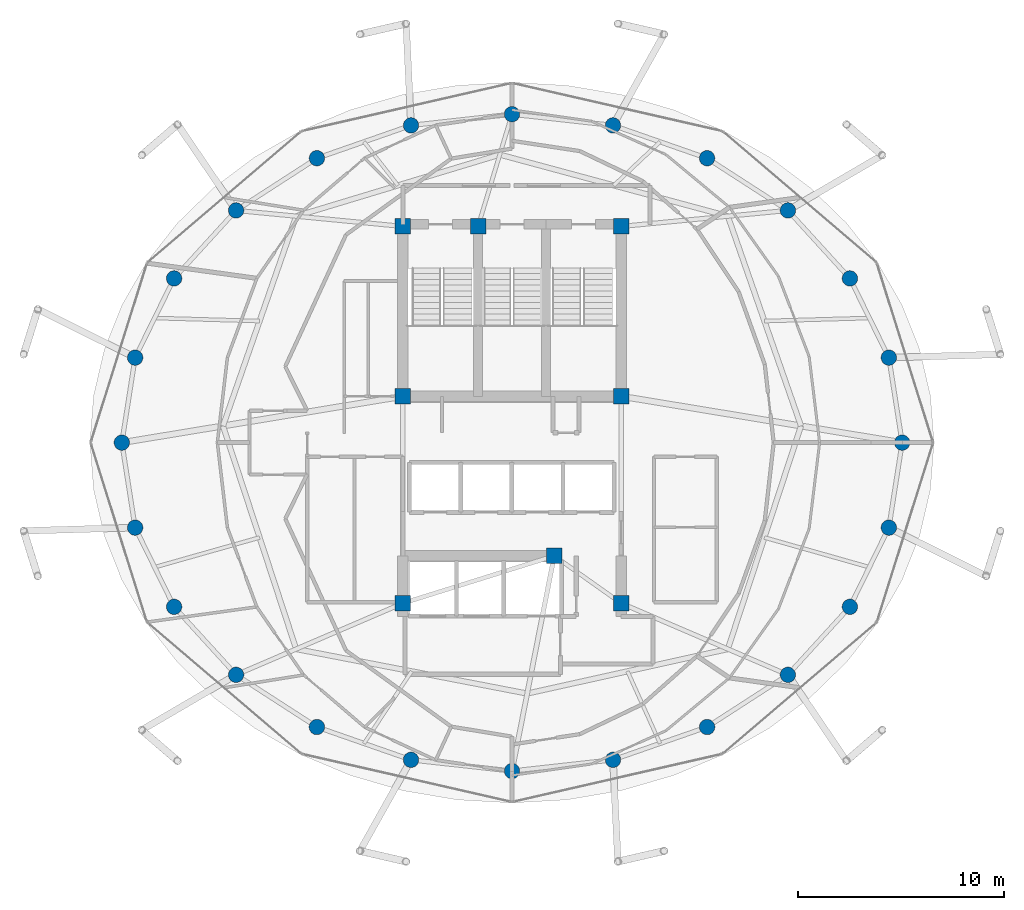
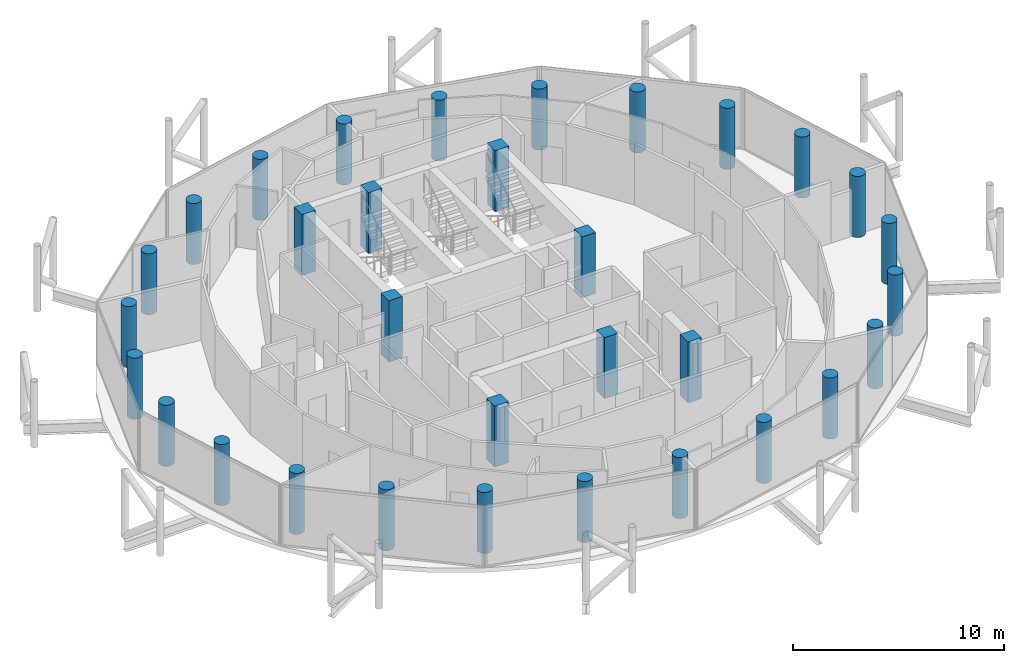
# One storey, part 1 of 24: 32 columns.
"""IFC4 building model written with IfcOpenShell, lengths in metres."""

from ifc_helpers import new_model, si_unit, direction, frame, origin, origin_2d, place, context, subcontext, project, spatial, rectangle, circle, extrude, material, material_profile, profile_set, type_object, element, save


model = new_model("IFC4")

# Units and contexts
model_context = context("Model", 3, precision=1e-05, world=origin(), true_north=direction((0.0, 1.0)))
body_context = subcontext(model_context, "Body", "Model", "MODEL_VIEW")
ifc_project = project(units=[si_unit("LENGTHUNIT", "METRE"), si_unit("AREAUNIT", "SQUARE_METRE"), si_unit("VOLUMEUNIT", "CUBIC_METRE"), si_unit("PLANEANGLEUNIT", "RADIAN"), si_unit("MASSUNIT", "GRAM", prefix="KILO")], contexts=[model_context])

# Site, building, storey
site_placement = place(None, origin())
site = spatial("IfcSite", under=ifc_project, at=site_placement, CompositionType="ELEMENT")
building_placement = place(site_placement, origin())
building = spatial("IfcBuilding", under=site, at=building_placement, Name="Nuhasar Tower", CompositionType="ELEMENT")
storey_placement = place(building_placement, frame((0.0, 0.0, 274.60009765625)))
storey = spatial("IfcBuildingStorey", under=building, at=storey_placement, Name="L68", CompositionType="ELEMENT", Elevation=274.60009765625)

# Columns
ifc_material = material(Name="Concrete C50/60", Category="concrete")
ifc_material_profile_1 = material_profile(ifc_material, circle(Radius=0.375, at=origin_2d()), Name="CFT750")
ifc_profile_set_1 = profile_set([ifc_material_profile_1], Name="Concrete C50/60")
column_type_1 = type_object("IfcColumnType", Name="COL-CFT-750", PredefinedType="COLUMN", material=ifc_profile_set_1)
for number, where, z_axis, x_axis, name in (
    (1, (57.949951171875, 26.800048828125, 0.0), (0.0, 0.0, 1.0), (1.0, 0.0, 0.0), "L68 Perimeter Composite Column TC-01"),
    (2, (57.303955078125, 30.927978515625, 0.0), (0.0, 0.0, 1.0), (1.0, 0.0, 0.0), "L68 Perimeter Composite Column TC-02"),
    (3, (55.410888671875, 34.77490234375, 0.0), (0.0, 0.0, 1.0), (1.0, 0.0, 0.0), "L68 Perimeter Composite Column TC-03"),
    (4, (52.39990234375, 38.077880859375, 0.0), (0.0, 0.0, 1.0), (1.0, 0.0, 0.0), "L68 Perimeter Composite Column TC-04"),
    (5, (48.47509765625, 40.613037109375, 0.0), (0.0, 0.0, 1.0), (1.0, 0.0, 0.0), "L68 Perimeter Composite Column TC-05"),
    (6, (43.905029296875, 42.20703125, 0.0), (0.0, 0.0, 1.0), (1.0, 0.0, 0.0), "L68 Perimeter Composite Column TC-06"),
    (7, (39.0, 42.75, 0.0), (0.0, 0.0, 1.0), (1.0, 0.0, 0.0), "L68 Perimeter Composite Column TC-07"),
    (8, (34.094970703125, 42.20703125, 0.0), (0.0, 0.0, 1.0), (1.0, 0.0, 0.0), "L68 Perimeter Composite Column TC-08"),
    (9, (29.52490234375, 40.613037109375, 0.0), (0.0, 0.0, 1.0), (1.0, 0.0, 0.0), "L68 Perimeter Composite Column TC-09"),
    (10, (25.60009765625, 38.077880859375, 0.0), (0.0, 0.0, 1.0), (1.0, 0.0, 0.0), "L68 Perimeter Composite Column TC-10"),
    (11, (22.589111328125, 34.77490234375, 0.0), (0.0, 0.0, 1.0), (1.0, 0.0, 0.0), "L68 Perimeter Composite Column TC-11"),
    (12, (20.696044921875, 30.927978515625, 0.0), (0.0, 0.0, 1.0), (1.0, 0.0, 0.0), "L68 Perimeter Composite Column TC-12"),
    (13, (20.050048828125, 26.800048828125, 0.0), (0.0, 0.0, 1.0), (1.0, 0.0, 0.0), "L68 Perimeter Composite Column TC-13"),
    (14, (20.696044921875, 22.672119140625, 0.0), (0.0, 0.0, 1.0), (1.0, 0.0, 0.0), "L68 Perimeter Composite Column TC-14"),
    (15, (22.589111328125, 18.824951171875, 0.0), (0.0, 0.0, 1.0), (1.0, 0.0, 0.0), "L68 Perimeter Composite Column TC-15"),
    (16, (25.60009765625, 15.52197265625, 0.0), (0.0, 0.0, 1.0), (1.0, 0.0, 0.0), "L68 Perimeter Composite Column TC-16"),
    (17, (29.52490234375, 12.987060546875, 0.0), (0.0, 0.0, 1.0), (1.0, 0.0, 0.0), "L68 Perimeter Composite Column TC-17"),
    (18, (34.094970703125, 11.39306640625, 0.0), (0.0, 0.0, 1.0), (1.0, 0.0, 0.0), "L68 Perimeter Composite Column TC-18"),
    (19, (39.0, 10.85009765625, 0.0), (0.0, 0.0, 1.0), (1.0, 0.0, 0.0), "L68 Perimeter Composite Column TC-19"),
    (20, (43.905029296875, 11.39306640625, 0.0), (0.0, 0.0, 1.0), (1.0, 0.0, 0.0), "L68 Perimeter Composite Column TC-20"),
    (21, (48.47509765625, 12.987060546875, 0.0), (0.0, 0.0, 1.0), (1.0, 0.0, 0.0), "L68 Perimeter Composite Column TC-21"),
    (22, (52.39990234375, 15.52197265625, 0.0), (0.0, 0.0, 1.0), (1.0, 0.0, 0.0), "L68 Perimeter Composite Column TC-22"),
    (23, (55.410888671875, 18.824951171875, 0.0), (0.0, 0.0, 1.0), (1.0, 0.0, 0.0), "L68 Perimeter Composite Column TC-23"),
    (24, (57.303955078125, 22.672119140625, 0.0), (0.0, 0.0, 1.0), (1.0, 0.0, 0.0), "L68 Perimeter Composite Column TC-24"),
):
    element("IfcColumn", number, at=place(storey_placement, frame(where, z_axis=z_axis, x_axis=x_axis)), inside=storey, type_object=column_type_1, Name=name, PredefinedType="COLUMN", context=body_context, shape_type="SweptSolid", body=[
        extrude(circle(Radius=0.375, at=origin_2d()), origin(), (0.0, 0.0, 1.0), 3.539794921875),
    ])
ifc_material_profile_2 = material_profile(ifc_material, rectangle(XDim=0.75, YDim=0.75, at=origin_2d()), Name="RC750X750")
ifc_profile_set_2 = profile_set([ifc_material_profile_2], Name="Concrete C50/60")
column_type_2 = type_object("IfcColumnType", Name="PIL-RC-750", PredefinedType="PILASTER", material=ifc_profile_set_2)
for number, where, z_axis, x_axis, name in (
    (25, (33.699951171875, 19.0, 0.0), (0.0, 0.0, 1.0), (1.0, 0.0, 0.0), "L68 Core Boundary Pilaster CC-01"),
    (26, (41.050048828125, 21.300048828125, 0.0), (0.0, 0.0, 1.0), (1.0, 0.0, 0.0), "L68 Core Boundary Pilaster CC-02"),
    (27, (44.300048828125, 19.0, 0.0), (0.0, 0.0, 1.0), (1.0, 0.0, 0.0), "L68 Core Boundary Pilaster CC-03"),
    (28, (44.300048828125, 29.050048828125, 0.0), (0.0, 0.0, 1.0), (1.0, 0.0, 0.0), "L68 Core Boundary Pilaster CC-04"),
    (29, (44.300048828125, 37.300048828125, 0.0), (0.0, 0.0, 1.0), (1.0, 0.0, 0.0), "L68 Core Boundary Pilaster CC-05"),
    (30, (37.35009765625, 37.300048828125, 0.0), (0.0, 0.0, 1.0), (1.0, 0.0, 0.0), "L68 Core Boundary Pilaster CC-06"),
    (31, (33.699951171875, 37.300048828125, 0.0), (0.0, 0.0, 1.0), (1.0, 0.0, 0.0), "L68 Core Boundary Pilaster CC-07"),
    (32, (33.699951171875, 29.050048828125, 0.0), (0.0, 0.0, 1.0), (1.0, 0.0, 0.0), "L68 Core Boundary Pilaster CC-08"),
):
    element("IfcColumn", number, at=place(storey_placement, frame(where, z_axis=z_axis, x_axis=x_axis)), inside=storey, type_object=column_type_2, Name=name, PredefinedType="PILASTER", context=body_context, shape_type="SweptSolid", body=[
        extrude(rectangle(XDim=0.75, YDim=0.75, at=origin_2d()), origin(), (0.0, 0.0, 1.0), 3.539794921875),
    ])

save(model, "model.ifc")
